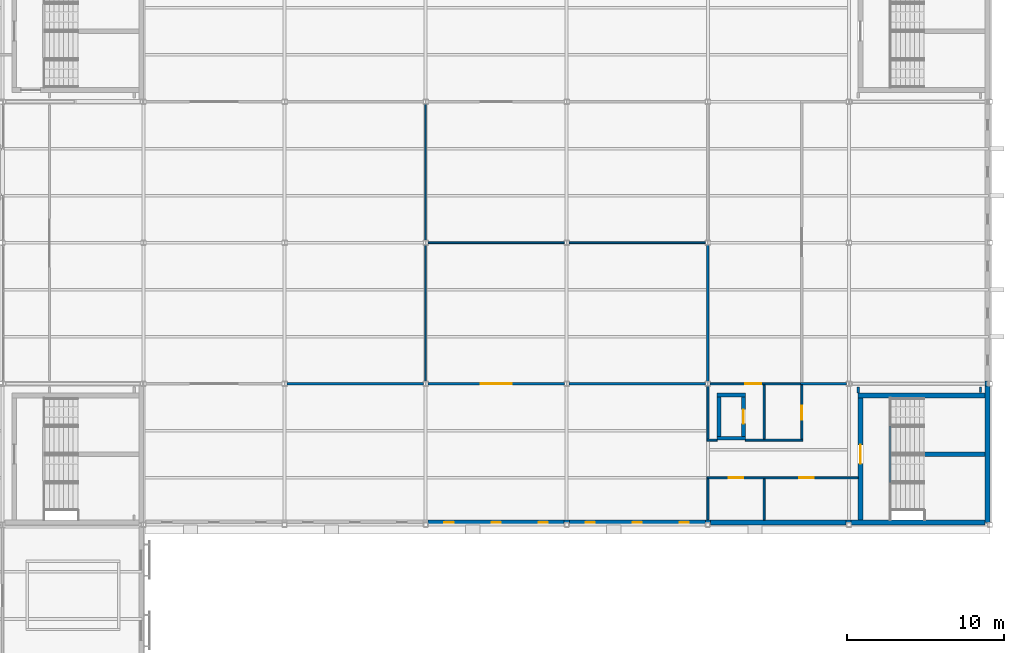
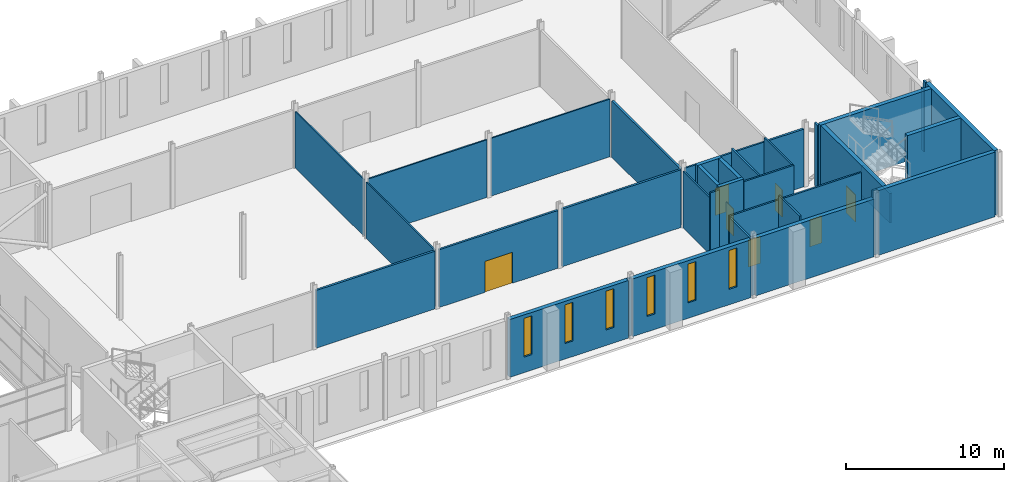
# One storey, part 89 of 115: 37 walls, 7 doors, 6 windows, 13 openings.
"""IFC4 building model written with IfcOpenShell, lengths in metres."""

from ifc_helpers import new_model, si_unit, direction, frame, frame_2d, origin, place, context, subcontext, project, spatial, rectangle, extrude, material, layer, layer_set, type_object, element, fill, save


model = new_model("IFC4")

# Units and contexts
model_context = context("Model", 3, precision=1e-05, world=origin(), true_north=direction((0.0, 1.0)))
body_context = subcontext(model_context, "Body", "Model", "MODEL_VIEW")
ifc_project = project(units=[si_unit("LENGTHUNIT", "METRE"), si_unit("AREAUNIT", "SQUARE_METRE"), si_unit("VOLUMEUNIT", "CUBIC_METRE"), si_unit("PLANEANGLEUNIT", "RADIAN"), si_unit("MASSUNIT", "GRAM", prefix="KILO")], contexts=[model_context])

# Site, building, storey
site_placement = place(None, origin())
site = spatial("IfcSite", under=ifc_project, at=site_placement, CompositionType="ELEMENT")
building_placement = place(site_placement, origin())
building = spatial("IfcBuilding", under=site, at=building_placement, Name="Shorebreak Coast Museum", CompositionType="ELEMENT")
storey_placement = place(building_placement, frame((0.0, 0.0, 11.0)))
storey = spatial("IfcBuildingStorey", under=building, at=storey_placement, Name="L02", CompositionType="ELEMENT", Elevation=11.0)

# Walls
ifc_material_1 = material(Name="Concrete N50 (50 MPa)", Category="concrete")
ifc_layer_1 = layer(ifc_material_1, 0.14990234375)
ifc_layer_set_1 = layer_set([ifc_layer_1], Name="Concrete N50 (50 MPa)")
wall_type_1 = type_object("IfcWallType", Name="Column closure panel 150", PredefinedType="SOLIDWALL", material=ifc_layer_set_1)
for number, where, z_axis, x_axis, name in (
    (1, (143.839111328125, 54.22509765625, 0.0), (0.0, 0.0, 1.0), (1.0, 0.0, 0.0), "Column closure panel L02 S 17G"),
    (2, (152.839111328125, 54.22509765625, 0.0), (0.0, 0.0, 1.0), (1.0, 0.0, 0.0), "Column closure panel L02 S 18G"),
):
    element("IfcWall", number, at=place(storey_placement, frame(where, z_axis=z_axis, x_axis=x_axis)), inside=storey, type_object=wall_type_1, Name=name, PredefinedType="SOLIDWALL", context=body_context, shape_type="SweptSolid", body=[
        extrude(rectangle(XDim=0.32177734375, YDim=0.14990234375, at=frame_2d((0.160888671875, 0.0))), origin(), (0.0, 0.0, 1.0), 4.469482421875),
    ])
for number, where, z_axis, x_axis, name in (
    (3, (161.827880859375, 54.22509765625, 0.0), (0.0, 0.0, 1.0), (1.0, 0.0, 0.0), "Column closure panel L02 S 19G"),
    (4, (170.77490234375, 62.85009765625, 0.0), (0.0, 0.0, 1.0), (0.0, 1.0, 0.0), "Column closure panel L02 E 20H"),
):
    element("IfcWall", number, at=place(storey_placement, frame(where, z_axis=z_axis, x_axis=x_axis)), inside=storey, type_object=wall_type_1, Name=name, PredefinedType="SOLIDWALL", context=body_context, shape_type="SweptSolid", body=[
        extrude(rectangle(XDim=0.322021484375, YDim=0.14990234375, at=frame_2d((0.1611328125, 0.0))), origin(), (0.0, 0.0, 1.0), 5.0),
    ])
ifc_material_2 = material(Name="Plasterboard on steel stud", Category="steel")
ifc_layer_2 = layer(ifc_material_2, 0.14990234375)
ifc_layer_set_2 = layer_set([ifc_layer_2], Name="Plasterboard on steel stud")
wall_type_2 = type_object("IfcWallType", Name="Fire partition 150", PredefinedType="PARTITIONING", material=ifc_layer_set_2)
wall_1_placement = place(storey_placement, frame((126.153564453125, 63.0, 0.0), z_axis=(0.0, 0.0, 1.0), x_axis=(1.0, 0.0, 0.0)))
element("IfcWall", 5, at=wall_1_placement, inside=storey, type_object=wall_type_2, Name="Partition L02-045", PredefinedType="PARTITIONING", context=body_context, shape_type="SweptSolid", body=[
    extrude(rectangle(XDim=8.69287109375, YDim=0.14990234375, at=frame_2d((4.346435546875, 0.0))), origin(), (0.0, 0.0, 1.0), 4.469482421875),
])

# Wall, opening, door
wall_2_placement = place(storey_placement, frame((135.153564453125, 63.0, 0.0), z_axis=(0.0, 0.0, 1.0), x_axis=(1.0, 0.0, 0.0)))
wall_2 = element("IfcWall", 6, at=wall_2_placement, inside=storey, type_object=wall_type_2, Name="Partition L02-046", PredefinedType="PARTITIONING", context=body_context, shape_type="SweptSolid", body=[
    extrude(rectangle(XDim=8.69287109375, YDim=0.14990234375, at=frame_2d((4.346435546875, 0.0))), origin(), (0.0, 0.0, 1.0), 4.469482421875),
])
opening_1_placement = place(wall_2_placement, frame((3.35009765625, 0.0, 0.0)))
opening_1 = element("IfcOpeningElement", 7, at=opening_1_placement, cuts=wall_2, Name="Opening D2063", PredefinedType="OPENING", context=body_context, shape_type="SweptSolid", body=[
    extrude(rectangle(XDim=2.0, YDim=2.39990234375, at=frame_2d((1.0, 1.199951171875))), frame((0.0, 0.0849609375, 0.0), z_axis=(0.0, -1.0, 0.0), x_axis=(1.0, 0.0, 0.0)), (0.0, 0.0, 1.0), 0.169921875),
])
ifc_material_3 = material(Name="Steel", Category="steel")
door_type_1 = type_object("IfcDoorType", Name="Fire door 2000x2400 60", OperationType="DOUBLE_DOOR_SINGLE_SWING", PredefinedType="DOOR", material=ifc_material_3)
door_1_placement = place(opening_1_placement, origin())
door_1 = element("IfcDoor", 8, at=door_1_placement, inside=storey, type_object=door_type_1, Name="Door D2063 Archive 2.08", OperationType="DOUBLE_DOOR_SINGLE_SWING", OverallHeight=2.39990234375, OverallWidth=2.0, PredefinedType="DOOR", context=body_context, shape_type="SweptSolid", body=[
    extrude(rectangle(XDim=2.0, YDim=2.39990234375, at=frame_2d((1.0, 1.199951171875))), frame((0.0, 0.02490234375, 0.0), z_axis=(0.0, -1.0, 0.0), x_axis=(1.0, 0.0, 0.0)), (0.0, 0.0, 1.0), 0.050048828125),
])
fill(opening_1, door_1)

# Walls
wall_3_placement = place(storey_placement, frame((144.153564453125, 63.0, 0.0), z_axis=(0.0, 0.0, 1.0), x_axis=(1.0, 0.0, 0.0)))
element("IfcWall", 9, at=wall_3_placement, inside=storey, type_object=wall_type_2, Name="Partition L02-047", PredefinedType="PARTITIONING", context=body_context, shape_type="SweptSolid", body=[
    extrude(rectangle(XDim=8.69287109375, YDim=0.14990234375, at=frame_2d((4.346435546875, 0.0))), origin(), (0.0, 0.0, 1.0), 4.469482421875),
])
wall_4_placement = place(storey_placement, frame((158.925048828125, 63.0, 0.0), z_axis=(0.0, 0.0, 1.0), x_axis=(1.0, 0.0, 0.0)))
element("IfcWall", 10, at=wall_4_placement, inside=storey, type_object=wall_type_2, Name="Partition L02-049", PredefinedType="PARTITIONING", context=body_context, shape_type="SweptSolid", body=[
    extrude(rectangle(XDim=2.92138671875, YDim=0.14990234375, at=frame_2d((1.460693359375, 0.0))), origin(), (0.0, 0.0, 1.0), 4.469482421875),
])
wall_5_placement = place(storey_placement, frame((153.0, 63.1572265625, 0.0), z_axis=(0.0, 0.0, 1.0), x_axis=(0.0, 1.0, 0.0)))
element("IfcWall", 11, at=wall_5_placement, inside=storey, type_object=wall_type_2, Name="Partition L02-182", PredefinedType="PARTITIONING", context=body_context, shape_type="SweptSolid", body=[
    extrude(rectangle(XDim=8.685546875, YDim=0.14990234375, at=frame_2d((4.3427734375, 0.0))), origin(), (0.0, 0.0, 1.0), 4.37109375),
])
wall_6_placement = place(storey_placement, frame((162.60009765625, 62.39990234375, 0.0), z_axis=(0.0, 0.0, 1.0), x_axis=(0.0, 1.0, 0.0)))
element("IfcWall", 12, at=wall_6_placement, inside=storey, type_object=wall_type_2, Name="Partition L02-188", PredefinedType="PARTITIONING", context=body_context, shape_type="SweptSolid", body=[
    extrude(rectangle(XDim=0.380126953125, YDim=0.14990234375, at=frame_2d((0.18994140625, 0.0))), origin(), (0.0, 0.0, 1.0), 4.824951171875),
])
ifc_material_4 = material(Name="Plasterboard on steel stud", Category="steel")
ifc_layer_3 = layer(ifc_material_4, 0.10009765625)
ifc_layer_set_3 = layer_set([ifc_layer_3], Name="Plasterboard on steel stud")
wall_type_3 = type_object("IfcWallType", Name="Partition 100", PredefinedType="PARTITIONING", material=ifc_layer_set_3)
for number, where, z_axis, x_axis, name in (
    (13, (135.153564453125, 72.0, 0.0), (0.0, 0.0, 1.0), (1.0, 0.0, 0.0), "Partition L02-050"),
    (14, (144.153564453125, 72.0, 0.0), (0.0, 0.0, 1.0), (1.0, 0.0, 0.0), "Partition L02-051"),
):
    element("IfcWall", number, at=place(storey_placement, frame(where, z_axis=z_axis, x_axis=x_axis)), inside=storey, type_object=wall_type_3, Name=name, PredefinedType="PARTITIONING", context=body_context, shape_type="SweptSolid", body=[
        extrude(rectangle(XDim=8.69287109375, YDim=0.10009765625, at=frame_2d((4.346435546875, 0.0))), origin(), (0.0, 0.0, 1.0), 4.469482421875),
    ])
for number, where, z_axis, x_axis, name in (
    (15, (135.0, 63.1572265625, 0.0), (0.0, 0.0, 1.0), (0.0, 1.0, 0.0), "Partition L02-178"),
    (16, (135.0, 72.1572265625, 0.0), (0.0, 0.0, 1.0), (0.0, 1.0, 0.0), "Partition L02-179"),
):
    element("IfcWall", number, at=place(storey_placement, frame(where, z_axis=z_axis, x_axis=x_axis)), inside=storey, type_object=wall_type_3, Name=name, PredefinedType="PARTITIONING", context=body_context, shape_type="SweptSolid", body=[
        extrude(rectangle(XDim=8.685546875, YDim=0.10009765625, at=frame_2d((4.3427734375, 0.0))), origin(), (0.0, 0.0, 1.0), 4.37109375),
    ])
wall_7_placement = place(storey_placement, frame((170.39990234375, 62.449951171875, 0.0), z_axis=(0.0, 0.0, 1.0), x_axis=(0.0, 1.0, 0.0)))
element("IfcWall", 17, at=wall_7_placement, inside=storey, type_object=wall_type_3, Name="Partition L02-190", PredefinedType="PARTITIONING", context=body_context, shape_type="SweptSolid", body=[
    extrude(rectangle(XDim=0.330078125, YDim=0.10009765625, at=frame_2d((0.1650390625, 0.0))), origin(), (0.0, 0.0, 1.0), 4.824951171875),
])

# Wall, openings, doors
ifc_material_5 = material(Name="Plasterboard on steel stud", Category="steel")
ifc_layer_4 = layer(ifc_material_5, 0.125)
ifc_layer_set_4 = layer_set([ifc_layer_4], Name="Plasterboard on steel stud")
wall_type_4 = type_object("IfcWallType", Name="Partition 125", PredefinedType="PARTITIONING", material=ifc_layer_set_4)
wall_8_placement = place(storey_placement, frame((152.9375, 57.0, 0.0), z_axis=(0.0, 0.0, 1.0), x_axis=(1.0, 0.0, 0.0)))
wall_8 = element("IfcWall", 18, at=wall_8_placement, inside=storey, type_object=wall_type_4, Name="Partition L02-036", PredefinedType="PARTITIONING", context=body_context, shape_type="SweptSolid", body=[
    extrude(rectangle(XDim=9.66259765625, YDim=0.125, at=frame_2d((4.831298828125, 0.0))), origin(), (0.0, 0.0, 1.0), 4.472900390625),
])
opening_2_placement = place(wall_8_placement, frame((1.41259765625, 0.0, 0.0)))
opening_2 = element("IfcOpeningElement", 19, at=opening_2_placement, cuts=wall_8, Name="Opening D2060", PredefinedType="OPENING", context=body_context, shape_type="SweptSolid", body=[
    extrude(rectangle(XDim=0.89990234375, YDim=2.10009765625, at=frame_2d((0.449951171875, 1.050048828125))), frame((0.0, 0.072509765625, 0.0), z_axis=(0.0, -1.0, 0.0), x_axis=(1.0, 0.0, 0.0)), (0.0, 0.0, 1.0), 0.14501953125),
])
opening_3_placement = place(wall_8_placement, frame((5.91259765625, 0.0, 0.0)))
opening_3 = element("IfcOpeningElement", 20, at=opening_3_placement, cuts=wall_8, Name="Opening D2061", PredefinedType="OPENING", context=body_context, shape_type="SweptSolid", body=[
    extrude(rectangle(XDim=0.89990234375, YDim=2.10009765625, at=frame_2d((0.449951171875, 1.050048828125))), frame((0.0, 0.072509765625, 0.0), z_axis=(0.0, -1.0, 0.0), x_axis=(1.0, 0.0, 0.0)), (0.0, 0.0, 1.0), 0.14501953125),
])
ifc_material_6 = material(Name="Timber", Category="wood")
door_type_2 = type_object("IfcDoorType", Name="Interior door 900x2100", OperationType="SINGLE_SWING_LEFT", PredefinedType="DOOR", material=ifc_material_6)
door_2_placement = place(opening_2_placement, origin())
door_2 = element("IfcDoor", 21, at=door_2_placement, inside=storey, type_object=door_type_2, Name="Door D2060 Accessible WC E", OperationType="SINGLE_SWING_LEFT", OverallHeight=2.10009765625, OverallWidth=0.89990234375, PredefinedType="DOOR", context=body_context, shape_type="SweptSolid", body=[
    extrude(rectangle(XDim=0.89990234375, YDim=2.10009765625, at=frame_2d((0.449951171875, 1.050048828125))), frame((0.0, 0.02490234375, 0.0), z_axis=(0.0, -1.0, 0.0), x_axis=(1.0, 0.0, 0.0)), (0.0, 0.0, 1.0), 0.050048828125),
])
fill(opening_2, door_2)
door_3_placement = place(opening_3_placement, origin())
door_3 = element("IfcDoor", 22, at=door_3_placement, inside=storey, type_object=door_type_2, Name="Door D2061 Male WC E", OperationType="SINGLE_SWING_LEFT", OverallHeight=2.10009765625, OverallWidth=0.89990234375, PredefinedType="DOOR", context=body_context, shape_type="SweptSolid", body=[
    extrude(rectangle(XDim=0.89990234375, YDim=2.10009765625, at=frame_2d((0.449951171875, 1.050048828125))), frame((0.0, 0.02490234375, 0.0), z_axis=(0.0, -1.0, 0.0), x_axis=(1.0, 0.0, 0.0)), (0.0, 0.0, 1.0), 0.050048828125),
])
fill(opening_3, door_3)

# Walls
wall_9_placement = place(storey_placement, frame((152.9375, 59.39990234375, 0.0), z_axis=(0.0, 0.0, 1.0), x_axis=(1.0, 0.0, 0.0)))
element("IfcWall", 23, at=wall_9_placement, inside=storey, type_object=wall_type_4, Name="Partition L02-039", PredefinedType="PARTITIONING", context=body_context, shape_type="SweptSolid", body=[
    extrude(rectangle(XDim=0.66259765625, YDim=0.125, at=frame_2d((0.331298828125, 0.0))), origin(), (0.0, 0.0, 1.0), 4.824951171875),
])
wall_10_placement = place(storey_placement, frame((155.39990234375, 59.39990234375, 0.0), z_axis=(0.0, 0.0, 1.0), x_axis=(1.0, 0.0, 0.0)))
element("IfcWall", 24, at=wall_10_placement, inside=storey, type_object=wall_type_4, Name="Partition L02-040", PredefinedType="PARTITIONING", context=body_context, shape_type="SweptSolid", body=[
    extrude(rectangle(XDim=3.66259765625, YDim=0.125, at=frame_2d((1.831298828125, 0.0))), origin(), (0.0, 0.0, 1.0), 4.824951171875),
])

# Wall, opening, door
wall_11_placement = place(storey_placement, frame((153.153564453125, 63.0, 0.0), z_axis=(0.0, 0.0, 1.0), x_axis=(1.0, 0.0, 0.0)))
wall_11 = element("IfcWall", 25, at=wall_11_placement, inside=storey, type_object=wall_type_4, Name="Partition L02-048", PredefinedType="PARTITIONING", context=body_context, shape_type="SweptSolid", body=[
    extrude(rectangle(XDim=5.92138671875, YDim=0.125, at=frame_2d((2.960693359375, 0.0))), origin(), (0.0, 0.0, 1.0), 4.469482421875),
])
opening_4_placement = place(wall_11_placement, frame((2.25, 0.0, 0.0)))
opening_4 = element("IfcOpeningElement", 26, at=opening_4_placement, cuts=wall_11, Name="Opening D2058", PredefinedType="OPENING", context=body_context, shape_type="SweptSolid", body=[
    extrude(rectangle(XDim=1.0, YDim=2.10009765625, at=frame_2d((0.5, 1.050048828125))), frame((0.0, 0.072509765625, 0.0), z_axis=(0.0, -1.0, 0.0), x_axis=(1.0, 0.0, 0.0)), (0.0, 0.0, 1.0), 0.14501953125),
])
ifc_material_7 = material(Name="Timber", Category="wood")
door_type_3 = type_object("IfcDoorType", Name="Interior door 1000x2100", OperationType="SINGLE_SWING_LEFT", PredefinedType="DOOR", material=ifc_material_7)
door_4_placement = place(opening_4_placement, origin())
door_4 = element("IfcDoor", 27, at=door_4_placement, inside=storey, type_object=door_type_3, Name="Door D2058 Cleaner Store E", OperationType="SINGLE_SWING_RIGHT", OverallHeight=2.10009765625, OverallWidth=1.0, PredefinedType="DOOR", context=body_context, shape_type="SweptSolid", body=[
    extrude(rectangle(XDim=1.0, YDim=2.10009765625, at=frame_2d((0.5, 1.050048828125))), frame((0.0, 0.02490234375, 0.0), z_axis=(0.0, -1.0, 0.0), x_axis=(1.0, 0.0, 0.0)), (0.0, 0.0, 1.0), 0.050048828125),
])
fill(opening_4, door_4)

# Walls
wall_12_placement = place(storey_placement, frame((153.0, 54.300048828125, 0.0), z_axis=(0.0, 0.0, 1.0), x_axis=(0.0, 1.0, 0.0)))
element("IfcWall", 28, at=wall_12_placement, inside=storey, type_object=wall_type_4, Name="Partition L02-180", PredefinedType="PARTITIONING", context=body_context, shape_type="SweptSolid", body=[
    extrude(rectangle(XDim=2.637451171875, YDim=0.125, at=frame_2d((1.31884765625, 0.0))), origin(), (0.0, 0.0, 1.0), 4.37109375),
])
wall_13_placement = place(storey_placement, frame((153.0, 59.46240234375, 0.0), z_axis=(0.0, 0.0, 1.0), x_axis=(0.0, 1.0, 0.0)))
element("IfcWall", 29, at=wall_13_placement, inside=storey, type_object=wall_type_4, Name="Partition L02-181", PredefinedType="PARTITIONING", context=body_context, shape_type="SweptSolid", body=[
    extrude(rectangle(XDim=3.38037109375, YDim=0.125, at=frame_2d((1.690185546875, 0.0))), origin(), (0.0, 0.0, 1.0), 4.37109375),
])
wall_14_placement = place(storey_placement, frame((156.60009765625, 54.300048828125, 0.0), z_axis=(0.0, 0.0, 1.0), x_axis=(0.0, 1.0, 0.0)))
element("IfcWall", 30, at=wall_14_placement, inside=storey, type_object=wall_type_4, Name="Partition L02-184", PredefinedType="PARTITIONING", context=body_context, shape_type="SweptSolid", body=[
    extrude(rectangle(XDim=2.637451171875, YDim=0.125, at=frame_2d((1.31884765625, 0.0))), origin(), (0.0, 0.0, 1.0), 4.824951171875),
])
wall_15_placement = place(storey_placement, frame((156.60009765625, 59.46240234375, 0.0), z_axis=(0.0, 0.0, 1.0), x_axis=(0.0, 1.0, 0.0)))
element("IfcWall", 31, at=wall_15_placement, inside=storey, type_object=wall_type_4, Name="Partition L02-185", PredefinedType="PARTITIONING", context=body_context, shape_type="SweptSolid", body=[
    extrude(rectangle(XDim=3.47509765625, YDim=0.125, at=frame_2d((1.737548828125, 0.0))), origin(), (0.0, 0.0, 1.0), 4.824951171875),
])

# Wall, opening, door
wall_16_placement = place(storey_placement, frame((159.0, 59.46240234375, 0.0), z_axis=(0.0, 0.0, 1.0), x_axis=(0.0, 1.0, 0.0)))
wall_16 = element("IfcWall", 32, at=wall_16_placement, inside=storey, type_object=wall_type_4, Name="Partition L02-186", PredefinedType="PARTITIONING", context=body_context, shape_type="SweptSolid", body=[
    extrude(rectangle(XDim=3.462646484375, YDim=0.125, at=frame_2d((1.7314453125, 0.0))), origin(), (0.0, 0.0, 1.0), 4.824951171875),
])
opening_5_placement = place(wall_16_placement, frame((1.25, 0.0, 0.0)))
opening_5 = element("IfcOpeningElement", 33, at=opening_5_placement, cuts=wall_16, Name="Opening D2059", PredefinedType="OPENING", context=body_context, shape_type="SweptSolid", body=[
    extrude(rectangle(XDim=0.89990234375, YDim=2.10009765625, at=frame_2d((0.449951171875, 1.050048828125))), frame((0.0, 0.072509765625, 0.0), z_axis=(0.0, -1.0, 0.0), x_axis=(1.0, 0.0, 0.0)), (0.0, 0.0, 1.0), 0.14501953125),
])
door_5_placement = place(opening_5_placement, origin())
door_5 = element("IfcDoor", 34, at=door_5_placement, inside=storey, type_object=door_type_2, Name="Door D2059 Female WC E", OperationType="SINGLE_SWING_RIGHT", OverallHeight=2.10009765625, OverallWidth=0.89990234375, PredefinedType="DOOR", context=body_context, shape_type="SweptSolid", body=[
    extrude(rectangle(XDim=0.89990234375, YDim=2.10009765625, at=frame_2d((0.449951171875, 1.050048828125))), frame((0.0, 0.02490234375, 0.0), z_axis=(0.0, -1.0, 0.0), x_axis=(1.0, 0.0, 0.0)), (0.0, 0.0, 1.0), 0.050048828125),
])
fill(opening_5, door_5)

# Wall, openings, windows
ifc_material_8 = material(Name="Concrete N50 (50 MPa)", Category="concrete")
ifc_layer_5 = layer(ifc_material_8, 0.300048828125)
ifc_layer_set_5 = layer_set([ifc_layer_5], Name="Concrete N50 (50 MPa)")
wall_type_5 = type_object("IfcWallType", Name="Precast board-marked panel 300", PredefinedType="SOLIDWALL", material=ifc_layer_set_5)
wall_17_placement = place(storey_placement, frame((135.160888671875, 54.14990234375, 0.0), z_axis=(0.0, 0.0, 1.0), x_axis=(1.0, 0.0, 0.0)))
wall_17 = element("IfcWall", 35, at=wall_17_placement, inside=storey, type_object=wall_type_5, Name="External wall L02 S 16G", PredefinedType="SOLIDWALL", context=body_context, shape_type="SweptSolid", body=[
    extrude(rectangle(XDim=8.67822265625, YDim=0.300048828125, at=frame_2d((4.339111328125, 0.0))), origin(), (0.0, 0.0, 1.0), 4.469482421875),
])
opening_6_placement = place(wall_17_placement, frame((1.0390625, 0.0, 1.199951171875)))
opening_6 = element("IfcOpeningElement", 36, at=opening_6_placement, cuts=wall_17, Name="Opening WN2055", PredefinedType="OPENING", context=body_context, shape_type="SweptSolid", body=[
    extrude(rectangle(XDim=0.60009765625, YDim=3.0, at=frame_2d((0.300048828125, 1.5))), frame((0.0, 0.159912109375, 0.0), z_axis=(0.0, -1.0, 0.0), x_axis=(1.0, 0.0, 0.0)), (0.0, 0.0, 1.0), 0.320068359375),
])
opening_7_placement = place(wall_17_placement, frame((4.0390625, 0.0, 1.199951171875)))
opening_7 = element("IfcOpeningElement", 37, at=opening_7_placement, cuts=wall_17, Name="Opening WN2056", PredefinedType="OPENING", context=body_context, shape_type="SweptSolid", body=[
    extrude(rectangle(XDim=0.60009765625, YDim=3.0, at=frame_2d((0.300048828125, 1.5))), frame((0.0, 0.159912109375, 0.0), z_axis=(0.0, -1.0, 0.0), x_axis=(1.0, 0.0, 0.0)), (0.0, 0.0, 1.0), 0.320068359375),
])
opening_8_placement = place(wall_17_placement, frame((7.0390625, 0.0, 1.199951171875)))
opening_8 = element("IfcOpeningElement", 38, at=opening_8_placement, cuts=wall_17, Name="Opening WN2057", PredefinedType="OPENING", context=body_context, shape_type="SweptSolid", body=[
    extrude(rectangle(XDim=0.60009765625, YDim=3.0, at=frame_2d((0.300048828125, 1.5))), frame((0.0, 0.159912109375, 0.0), z_axis=(0.0, -1.0, 0.0), x_axis=(1.0, 0.0, 0.0)), (0.0, 0.0, 1.0), 0.320068359375),
])
ifc_material_9 = material(Name="Aluminium", Category="aluminium")
window_type = type_object("IfcWindowType", Name="Hall slot window 600 x 3000", PartitioningType="SINGLE_PANEL", PredefinedType="WINDOW", material=ifc_material_9)
window_1_placement = place(opening_6_placement, origin())
window_1 = element("IfcWindow", 39, at=window_1_placement, inside=storey, type_object=window_type, Name="Window WN2055", OverallHeight=3.0, OverallWidth=0.60009765625, PartitioningType="SINGLE_PANEL", PredefinedType="WINDOW", context=body_context, shape_type="SweptSolid", body=[
    extrude(rectangle(XDim=0.60009765625, YDim=3.0, at=frame_2d((0.300048828125, 1.5))), frame((0.0, 0.030029296875, 0.0), z_axis=(0.0, -1.0, 0.0), x_axis=(1.0, 0.0, 0.0)), (0.0, 0.0, 1.0), 0.06005859375),
])
fill(opening_6, window_1)
window_2_placement = place(opening_7_placement, origin())
window_2 = element("IfcWindow", 40, at=window_2_placement, inside=storey, type_object=window_type, Name="Window WN2056", OverallHeight=3.0, OverallWidth=0.60009765625, PartitioningType="SINGLE_PANEL", PredefinedType="WINDOW", context=body_context, shape_type="SweptSolid", body=[
    extrude(rectangle(XDim=0.60009765625, YDim=3.0, at=frame_2d((0.300048828125, 1.5))), frame((0.0, 0.030029296875, 0.0), z_axis=(0.0, -1.0, 0.0), x_axis=(1.0, 0.0, 0.0)), (0.0, 0.0, 1.0), 0.06005859375),
])
fill(opening_7, window_2)
window_3_placement = place(opening_8_placement, origin())
window_3 = element("IfcWindow", 41, at=window_3_placement, inside=storey, type_object=window_type, Name="Window WN2057", OverallHeight=3.0, OverallWidth=0.60009765625, PartitioningType="SINGLE_PANEL", PredefinedType="WINDOW", context=body_context, shape_type="SweptSolid", body=[
    extrude(rectangle(XDim=0.60009765625, YDim=3.0, at=frame_2d((0.300048828125, 1.5))), frame((0.0, 0.030029296875, 0.0), z_axis=(0.0, -1.0, 0.0), x_axis=(1.0, 0.0, 0.0)), (0.0, 0.0, 1.0), 0.06005859375),
])
fill(opening_8, window_3)

wall_18_placement = place(storey_placement, frame((144.160888671875, 54.14990234375, 0.0), z_axis=(0.0, 0.0, 1.0), x_axis=(1.0, 0.0, 0.0)))
wall_18 = element("IfcWall", 42, at=wall_18_placement, inside=storey, type_object=wall_type_5, Name="External wall L02 S 17G", PredefinedType="SOLIDWALL", context=body_context, shape_type="SweptSolid", body=[
    extrude(rectangle(XDim=8.67822265625, YDim=0.300048828125, at=frame_2d((4.339111328125, 0.0))), origin(), (0.0, 0.0, 1.0), 4.469482421875),
])
opening_9_placement = place(wall_18_placement, frame((1.0390625, 0.0, 1.199951171875)))
opening_9 = element("IfcOpeningElement", 43, at=opening_9_placement, cuts=wall_18, Name="Opening WN2058", PredefinedType="OPENING", context=body_context, shape_type="SweptSolid", body=[
    extrude(rectangle(XDim=0.60009765625, YDim=3.0, at=frame_2d((0.300048828125, 1.5))), frame((0.0, 0.159912109375, 0.0), z_axis=(0.0, -1.0, 0.0), x_axis=(1.0, 0.0, 0.0)), (0.0, 0.0, 1.0), 0.320068359375),
])
opening_10_placement = place(wall_18_placement, frame((4.0390625, 0.0, 1.199951171875)))
opening_10 = element("IfcOpeningElement", 44, at=opening_10_placement, cuts=wall_18, Name="Opening WN2059", PredefinedType="OPENING", context=body_context, shape_type="SweptSolid", body=[
    extrude(rectangle(XDim=0.60009765625, YDim=3.0, at=frame_2d((0.300048828125, 1.5))), frame((0.0, 0.159912109375, 0.0), z_axis=(0.0, -1.0, 0.0), x_axis=(1.0, 0.0, 0.0)), (0.0, 0.0, 1.0), 0.320068359375),
])
opening_11_placement = place(wall_18_placement, frame((7.0390625, 0.0, 1.199951171875)))
opening_11 = element("IfcOpeningElement", 45, at=opening_11_placement, cuts=wall_18, Name="Opening WN2060", PredefinedType="OPENING", context=body_context, shape_type="SweptSolid", body=[
    extrude(rectangle(XDim=0.60009765625, YDim=3.0, at=frame_2d((0.300048828125, 1.5))), frame((0.0, 0.159912109375, 0.0), z_axis=(0.0, -1.0, 0.0), x_axis=(1.0, 0.0, 0.0)), (0.0, 0.0, 1.0), 0.320068359375),
])
window_4_placement = place(opening_9_placement, origin())
window_4 = element("IfcWindow", 46, at=window_4_placement, inside=storey, type_object=window_type, Name="Window WN2058", OverallHeight=3.0, OverallWidth=0.60009765625, PartitioningType="SINGLE_PANEL", PredefinedType="WINDOW", context=body_context, shape_type="SweptSolid", body=[
    extrude(rectangle(XDim=0.60009765625, YDim=3.0, at=frame_2d((0.300048828125, 1.5))), frame((0.0, 0.030029296875, 0.0), z_axis=(0.0, -1.0, 0.0), x_axis=(1.0, 0.0, 0.0)), (0.0, 0.0, 1.0), 0.06005859375),
])
fill(opening_9, window_4)
window_5_placement = place(opening_10_placement, origin())
window_5 = element("IfcWindow", 47, at=window_5_placement, inside=storey, type_object=window_type, Name="Window WN2059", OverallHeight=3.0, OverallWidth=0.60009765625, PartitioningType="SINGLE_PANEL", PredefinedType="WINDOW", context=body_context, shape_type="SweptSolid", body=[
    extrude(rectangle(XDim=0.60009765625, YDim=3.0, at=frame_2d((0.300048828125, 1.5))), frame((0.0, 0.030029296875, 0.0), z_axis=(0.0, -1.0, 0.0), x_axis=(1.0, 0.0, 0.0)), (0.0, 0.0, 1.0), 0.06005859375),
])
fill(opening_10, window_5)
window_6_placement = place(opening_11_placement, origin())
window_6 = element("IfcWindow", 48, at=window_6_placement, inside=storey, type_object=window_type, Name="Window WN2060", OverallHeight=3.0, OverallWidth=0.60009765625, PartitioningType="SINGLE_PANEL", PredefinedType="WINDOW", context=body_context, shape_type="SweptSolid", body=[
    extrude(rectangle(XDim=0.60009765625, YDim=3.0, at=frame_2d((0.300048828125, 1.5))), frame((0.0, 0.030029296875, 0.0), z_axis=(0.0, -1.0, 0.0), x_axis=(1.0, 0.0, 0.0)), (0.0, 0.0, 1.0), 0.06005859375),
])
fill(opening_11, window_6)

# Walls
wall_19_placement = place(storey_placement, frame((153.160888671875, 54.14990234375, 0.0), z_axis=(0.0, 0.0, 1.0), x_axis=(1.0, 0.0, 0.0)))
element("IfcWall", 49, at=wall_19_placement, inside=storey, type_object=wall_type_5, Name="External wall L02 S 18G", PredefinedType="SOLIDWALL", context=body_context, shape_type="SweptSolid", body=[
    extrude(rectangle(XDim=8.6669921875, YDim=0.300048828125, at=frame_2d((4.33349609375, 0.0))), origin(), (0.0, 0.0, 1.0), 4.469482421875),
])
ifc_material_10 = material(Name="Concrete N50 (50 MPa)", Category="concrete")
ifc_layer_6 = layer(ifc_material_10, 0.25)
ifc_layer_set_6 = layer_set([ifc_layer_6], Name="Concrete N50 (50 MPa)")
wall_type_6 = type_object("IfcWallType", Name="RC riser wall 250", PredefinedType="STANDARD", material=ifc_layer_set_6)
for number, where, z_axis, x_axis, name in (
    (50, (153.60009765625, 59.52490234375, 0.0), (0.0, 0.0, 1.0), (1.0, 0.0, 0.0), "Riser wall R-WC-E L02 S"),
    (51, (153.60009765625, 62.27490234375, 0.0), (0.0, 0.0, 1.0), (1.0, 0.0, 0.0), "Riser wall R-WC-E L02 N"),
):
    element("IfcWall", number, at=place(storey_placement, frame(where, z_axis=z_axis, x_axis=x_axis)), inside=storey, type_object=wall_type_6, Name=name, PredefinedType="STANDARD", context=body_context, shape_type="SweptSolid", body=[
        extrude(rectangle(XDim=1.7998046875, YDim=0.25, at=frame_2d((0.89990234375, 0.0))), origin(), (0.0, 0.0, 1.0), 5.0),
    ])
wall_20_placement = place(storey_placement, frame((153.72509765625, 59.64990234375, 0.0), z_axis=(0.0, 0.0, 1.0), x_axis=(0.0, 1.0, 0.0)))
element("IfcWall", 52, at=wall_20_placement, inside=storey, type_object=wall_type_6, Name="Riser wall R-WC-E L02 W", PredefinedType="STANDARD", context=body_context, shape_type="SweptSolid", body=[
    extrude(rectangle(XDim=2.5, YDim=0.25, at=frame_2d((1.25, 0.0))), origin(), (0.0, 0.0, 1.0), 5.0),
])

# Wall, opening, door
wall_21_placement = place(storey_placement, frame((155.27490234375, 59.64990234375, 0.0), z_axis=(0.0, 0.0, 1.0), x_axis=(0.0, 1.0, 0.0)))
wall_21 = element("IfcWall", 53, at=wall_21_placement, inside=storey, type_object=wall_type_6, Name="Riser wall R-WC-E L02 E", PredefinedType="STANDARD", context=body_context, shape_type="SweptSolid", body=[
    extrude(rectangle(XDim=2.5, YDim=0.25, at=frame_2d((1.25, 0.0))), origin(), (0.0, 0.0, 1.0), 5.0),
])
opening_12_placement = place(wall_21_placement, frame((0.800048828125, 0.0, 0.0)))
opening_12 = element("IfcOpeningElement", 54, at=opening_12_placement, cuts=wall_21, Name="Opening D2604", PredefinedType="OPENING", context=body_context, shape_type="SweptSolid", body=[
    extrude(rectangle(XDim=0.89990234375, YDim=2.10009765625, at=frame_2d((0.449951171875, 1.050048828125))), frame((0.0, 0.135009765625, 0.0), z_axis=(0.0, -1.0, 0.0), x_axis=(1.0, 0.0, 0.0)), (0.0, 0.0, 1.0), 0.27001953125),
])
ifc_material_11 = material(Name="Steel Grade 300", Category="steel")
door_type_4 = type_object("IfcDoorType", Name="Riser door 900x2100", OperationType="SINGLE_SWING_LEFT", PredefinedType="DOOR", material=ifc_material_11)
door_6_placement = place(opening_12_placement, origin())
door_6 = element("IfcDoor", 55, at=door_6_placement, inside=storey, type_object=door_type_4, Name="Riser door R-WC-E L02", OperationType="SINGLE_SWING_RIGHT", OverallHeight=2.10009765625, OverallWidth=0.89990234375, PredefinedType="DOOR", context=body_context, shape_type="SweptSolid", body=[
    extrude(rectangle(XDim=0.89990234375, YDim=2.10009765625, at=frame_2d((0.449951171875, 1.050048828125))), frame((0.0, 0.02490234375, 0.0), z_axis=(0.0, -1.0, 0.0), x_axis=(1.0, 0.0, 0.0)), (0.0, 0.0, 1.0), 0.050048828125),
])
fill(opening_12, door_6)

# Walls
ifc_material_12 = material(Name="Concrete N50 (50 MPa)", Category="concrete")
ifc_layer_7 = layer(ifc_material_12, 0.300048828125)
ifc_layer_set_7 = layer_set([ifc_layer_7], Name="Concrete N50 (50 MPa)")
wall_type_7 = type_object("IfcWallType", Name="RC wall 300", PredefinedType="SHEAR", material=ifc_layer_set_7)
wall_22_placement = place(storey_placement, frame((162.14990234375, 54.14990234375, 0.0), z_axis=(0.0, 0.0, 1.0), x_axis=(1.0, 0.0, 0.0)))
element("IfcWall", 56, at=wall_22_placement, inside=storey, type_object=wall_type_7, Name="Stair core wall ST07 L02 S", PredefinedType="SHEAR", context=body_context, shape_type="SweptSolid", body=[
    extrude(rectangle(XDim=8.550048828125, YDim=0.300048828125, at=frame_2d((4.27490234375, 0.0))), origin(), (0.0, 0.0, 1.0), 5.0),
])
wall_23_placement = place(storey_placement, frame((162.60009765625, 62.25, 0.0), z_axis=(0.0, 0.0, 1.0), x_axis=(1.0, 0.0, 0.0)))
element("IfcWall", 57, at=wall_23_placement, inside=storey, type_object=wall_type_7, Name="Stair core wall ST07 L02 N", PredefinedType="SHEAR", context=body_context, shape_type="SweptSolid", body=[
    extrude(rectangle(XDim=8.099853515625, YDim=0.300048828125, at=frame_2d((4.0498046875, 0.0))), origin(), (0.0, 0.0, 1.0), 5.0),
])

# Wall, opening, door
wall_24_placement = place(storey_placement, frame((162.75, 54.300048828125, 0.0), z_axis=(0.0, 0.0, 1.0), x_axis=(0.0, 1.0, 0.0)))
wall_24 = element("IfcWall", 58, at=wall_24_placement, inside=storey, type_object=wall_type_7, Name="Stair core wall ST07 L02 W", PredefinedType="SHEAR", context=body_context, shape_type="SweptSolid", body=[
    extrude(rectangle(XDim=7.800048828125, YDim=0.300048828125, at=frame_2d((3.89990234375, 0.0))), origin(), (0.0, 0.0, 1.0), 5.0),
])
opening_13_placement = place(wall_24_placement, frame((3.60009765625, 0.0, 0.0)))
opening_13 = element("IfcOpeningElement", 59, at=opening_13_placement, cuts=wall_24, Name="Opening D2807", PredefinedType="OPENING", context=body_context, shape_type="SweptSolid", body=[
    extrude(rectangle(XDim=1.199951171875, YDim=2.10009765625, at=frame_2d((0.60009765625, 1.050048828125))), frame((0.0, 0.159912109375, 0.0), z_axis=(0.0, -1.0, 0.0), x_axis=(1.0, 0.0, 0.0)), (0.0, 0.0, 1.0), 0.320068359375),
])
ifc_material_13 = material(Name="Steel Grade 300", Category="steel")
door_type_5 = type_object("IfcDoorType", Name="Fire door 1200x2100", OperationType="SINGLE_SWING_LEFT", PredefinedType="DOOR", material=ifc_material_13)
door_7_placement = place(opening_13_placement, origin())
door_7 = element("IfcDoor", 60, at=door_7_placement, inside=storey, type_object=door_type_5, Name="Stair door ST07 L02", OperationType="SINGLE_SWING_RIGHT", OverallHeight=2.10009765625, OverallWidth=1.199951171875, PredefinedType="DOOR", context=body_context, shape_type="SweptSolid", body=[
    extrude(rectangle(XDim=1.199951171875, YDim=2.10009765625, at=frame_2d((0.60009765625, 1.050048828125))), frame((0.0, 0.02490234375, 0.0), z_axis=(0.0, -1.0, 0.0), x_axis=(1.0, 0.0, 0.0)), (0.0, 0.0, 1.0), 0.050048828125),
])
fill(opening_13, door_7)

# Walls
wall_25_placement = place(storey_placement, frame((170.85009765625, 54.14990234375, 0.0), z_axis=(0.0, 0.0, 1.0), x_axis=(0.0, 1.0, 0.0)))
element("IfcWall", 61, at=wall_25_placement, inside=storey, type_object=wall_type_7, Name="Stair core wall ST07 L02 E", PredefinedType="SHEAR", context=body_context, shape_type="SweptSolid", body=[
    extrude(rectangle(XDim=8.7001953125, YDim=0.300048828125, at=frame_2d((4.35009765625, 0.0))), origin(), (0.0, 0.0, 1.0), 5.0),
])
wall_26_placement = place(storey_placement, frame((166.800048828125, 58.5, 0.0), z_axis=(0.0, 0.0, 1.0), x_axis=(1.0, 0.0, 0.0)))
element("IfcWall", 62, at=wall_26_placement, inside=storey, type_object=wall_type_7, Name="Stair spine wall ST07 L02", PredefinedType="SHEAR", context=body_context, shape_type="SweptSolid", body=[
    extrude(rectangle(XDim=3.89990234375, YDim=0.300048828125, at=frame_2d((1.949951171875, 0.0))), origin(), (0.0, 0.0, 1.0), 5.0),
])
ifc_material_14 = material(Name="Concrete N50 (50 MPa)", Category="concrete")
ifc_layer_8 = layer(ifc_material_14, 0.14990234375)
ifc_layer_set_8 = layer_set([ifc_layer_8], Name="Concrete N50 (50 MPa)")
wall_type_8 = type_object("IfcWallType", Name="Understair wall 150", PredefinedType="STANDARD", material=ifc_layer_set_8)
wall_27_placement = place(storey_placement, frame((164.625, 56.699951171875, 0.0), z_axis=(0.0, 0.0, 1.0), x_axis=(0.0, 1.0, 0.0)))
element("IfcWall", 63, at=wall_27_placement, inside=storey, type_object=wall_type_8, Name="Understair wall ST07 L02 floor", PredefinedType="STANDARD", context=body_context, shape_type="SweptSolid", body=[
    extrude(rectangle(XDim=3.60009765625, YDim=0.14990234375, at=frame_2d((1.800048828125, 0.0))), origin(), (0.0, 0.0, 1.0), 2.300048828125),
])

save(model, "model.ifc")
